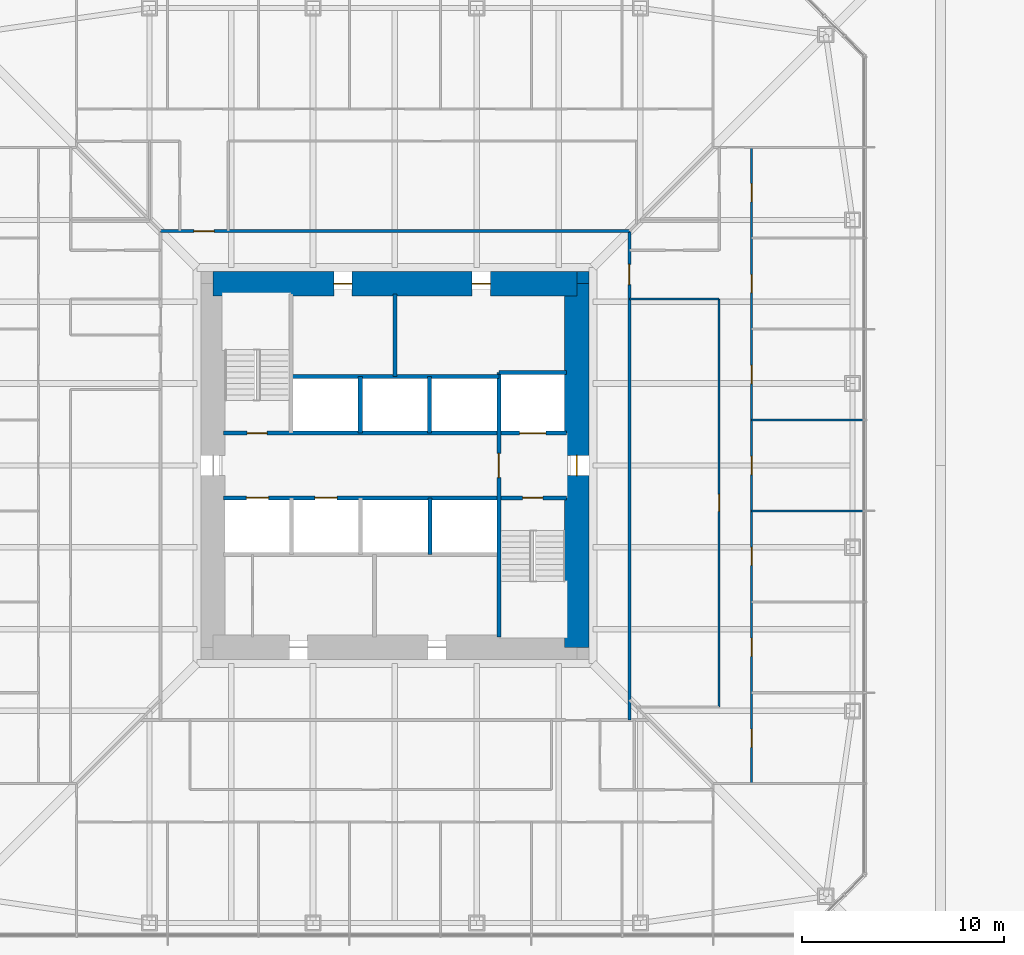
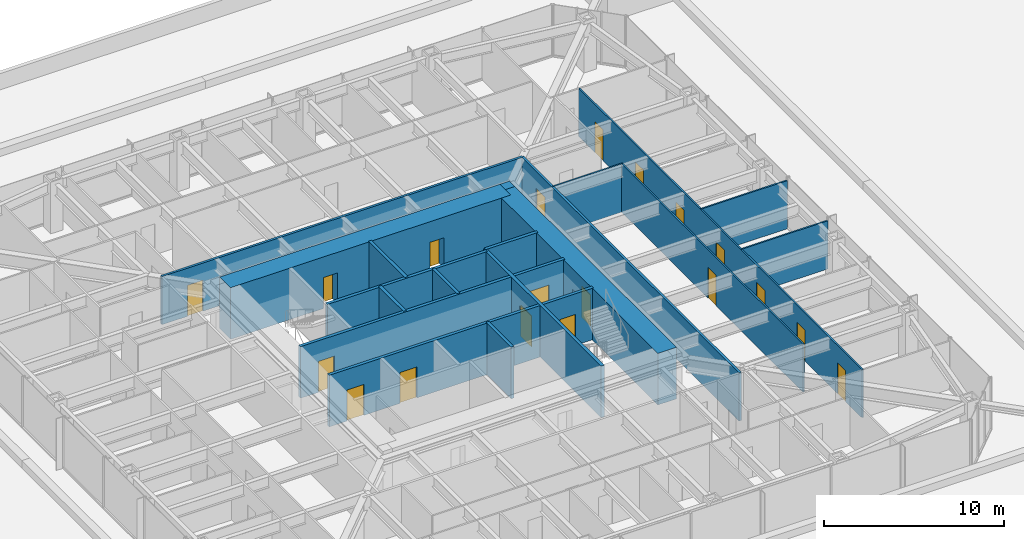
# One storey, part 20 of 31: 19 doors, 19 walls, 19 openings.
"""IFC4 building model written with IfcOpenShell, lengths in metres."""

import ifcopenshell
import ifcopenshell.guid

model = None  # the IFC model being written
_history = None  # IfcOwnerHistory: only IFC2X3 demands one
_inside = {}  # id of a spatial element -> (the spatial element, [elements in it])
_under = {}  # id of a project, library or spatial element -> (it, [spatial elements below it])
_declared = {}  # id of a project -> (the project, [libraries it declares])
_typed = {}  # id of a type object -> (the type object, [elements of that type])
_made_of = {}  # id of a material, layer set ... -> (it, [elements and type objects made of it])


def new_model(schema):
    """Start an empty IFC model of exactly this schema.

    Asked for "IFC4X3", IfcOpenShell would pick the latest addendum, in which some entities
    have other attributes; the version numbers below select the first issue.
    IFC2X3 requires an IfcOwnerHistory on every rooted entity: one is made here for all.
    """
    global model, _history
    if schema == "IFC4X3":
        model = ifcopenshell.file(schema_version=(4, 3, 0, 0))
    else:
        model = ifcopenshell.file(schema=schema)
    _inside.clear()
    _under.clear()
    _declared.clear()
    _typed.clear()
    _made_of.clear()
    _history = None
    if model.schema == "IFC2X3":
        org = make("IfcOrganization", Name="unknown")
        user = make(
            "IfcPersonAndOrganization",
            ThePerson=make("IfcPerson", FamilyName="unknown"),
            TheOrganization=org,
        )
        app = make(
            "IfcApplication",
            ApplicationDeveloper=org,
            Version="unknown",
            ApplicationFullName="unknown",
            ApplicationIdentifier="unknown",
        )
        _history = make(
            "IfcOwnerHistory",
            OwningUser=user,
            OwningApplication=app,
            ChangeAction="ADDED",
            CreationDate=0,
        )
    return model


def make(cls, **values):
    """One entity of the class cls with the attributes given. An attribute that is None is left unset."""
    return model.create_entity(
        cls, **{name: value for name, value in values.items() if value is not None}
    )


def rooted(cls, **values):
    """An entity with a GlobalId (a new one), such as an element, a storey or a relation."""
    return make(cls, GlobalId=ifcopenshell.guid.new(), OwnerHistory=_history, **values)


def si_unit(unit_type, name, prefix=None):
    """IfcSIUnit, for example si_unit("LENGTHUNIT", "METRE", prefix="MILLI")."""
    return make("IfcSIUnit", UnitType=unit_type, Prefix=prefix, Name=name)


def assignment(units):
    """IfcUnitAssignment: the units of a project."""
    return None if units is None else make("IfcUnitAssignment", Units=units)


def point(xyz):
    """IfcCartesianPoint."""
    return None if xyz is None else make("IfcCartesianPoint", Coordinates=xyz)


def direction(xyz):
    """IfcDirection."""
    return None if xyz is None else make("IfcDirection", DirectionRatios=xyz)


def frame(location, z_axis=None, x_axis=None):
    """IfcAxis2Placement3D, a coordinate frame: its origin and axes. An axis left out is left unset."""
    return make(
        "IfcAxis2Placement3D",
        Location=point(location),
        Axis=direction(z_axis),
        RefDirection=direction(x_axis),
    )


def frame_2d(location, x_axis=None):
    """IfcAxis2Placement2D, a coordinate frame in the plane: its origin and x axis."""
    return make(
        "IfcAxis2Placement2D", Location=point(location), RefDirection=direction(x_axis)
    )


def origin():
    """The frame at (0, 0, 0) with its axes left unset."""
    return frame((0.0, 0.0, 0.0))


def place(relative_to, where):
    """IfcLocalPlacement: puts the frame where relative to a parent placement (None: the world)."""
    return make(
        "IfcLocalPlacement", PlacementRelTo=relative_to, RelativePlacement=where
    )


def context(
    kind, dimensions, precision=None, world=None, true_north=None, identifier=None
):
    """IfcGeometricRepresentationContext, for example the 3D "Model" context."""
    return make(
        "IfcGeometricRepresentationContext",
        ContextIdentifier=identifier,
        ContextType=kind,
        CoordinateSpaceDimension=dimensions,
        Precision=precision,
        WorldCoordinateSystem=world,
        TrueNorth=true_north,
    )


def subcontext(parent, identifier, kind, view, scale=None):
    """IfcGeometricRepresentationSubContext, for example "Body" below "Model"."""
    return make(
        "IfcGeometricRepresentationSubContext",
        ContextIdentifier=identifier,
        ContextType=kind,
        ParentContext=parent,
        TargetScale=scale,
        TargetView=view,
    )


def project(units=None, contexts=None):
    """IfcProject with its units and contexts."""
    return rooted(
        "IfcProject",
        Name="project",
        RepresentationContexts=contexts,
        UnitsInContext=assignment(units),
    )


def spatial(cls, under=None, at=None, **own):
    """A site, building, storey or space (cls), placed at a placement, below another one or the project."""
    s = rooted(cls, ObjectPlacement=at, **own)
    if under is not None:
        _under.setdefault(under.id(), (under, []))[1].append(s)
    return s


def profile(cls, at=None, kind="AREA", **sizes):
    """A parametric profile (cls). Its sizes go by their IFC names, for example OverallWidth=200.0."""
    return make(cls, ProfileType=kind, Position=at, **sizes)


def rectangle(**sizes):
    """IfcRectangleProfileDef."""
    return profile("IfcRectangleProfileDef", **sizes)


def extrude(swept, where, along, depth):
    """IfcExtrudedAreaSolid: the profile swept, set in the frame where, extruded along a direction by depth."""
    return make(
        "IfcExtrudedAreaSolid",
        SweptArea=swept,
        Position=where,
        ExtrudedDirection=direction(along),
        Depth=depth,
    )


def shape(context_of_items, identifier, shape_type, items):
    """IfcShapeRepresentation: the items that make up one representation, for example the "Body"."""
    return make(
        "IfcShapeRepresentation",
        ContextOfItems=context_of_items,
        RepresentationIdentifier=identifier,
        RepresentationType=shape_type,
        Items=items,
    )


def material(Name=None, Category=None):
    """IfcMaterial."""
    return make("IfcMaterial", Name=Name, Category=Category)


def layer(
    of_material, thickness, ventilated=None, Name=None, Category=None, Priority=None
):
    """IfcMaterialLayer: one layer of a wall or slab, of a material (None: an air gap)."""
    return make(
        "IfcMaterialLayer",
        Material=of_material,
        LayerThickness=thickness,
        IsVentilated=ventilated,
        Name=Name,
        Category=Category,
        Priority=Priority,
    )


def layer_set(layers, Name=None):
    """IfcMaterialLayerSet."""
    return make("IfcMaterialLayerSet", MaterialLayers=layers, LayerSetName=Name)


def made_of(thing, what):
    """Note that an element or type object is made of a material, layer set ...; save() writes the relation."""
    if what is not None:
        _made_of.setdefault(what.id(), (what, []))[1].append(thing)
    return thing


def type_object(cls, material=None, **own):
    """A type object (cls), such as IfcWallType, which elements share."""
    return made_of(rooted(cls, **own), material)


def element(
    cls,
    number,
    at=None,
    inside=None,
    cuts=None,
    type_object=None,
    material=None,
    context=None,
    identifier="Body",
    shape_type=None,
    held_by="IfcProductDefinitionShape",
    body=None,
    shapes=None,
    **own,
):
    """One element of the class cls, such as IfcWall. Its Tag is "e" and its number.

    at: its placement. inside: the storey or other place that contains it. cuts: it is an
    opening in that element (IfcRelVoidsElement). A single representation is given by context,
    identifier, shape_type and body (its items); several are given by shapes. held_by: the class
    of the entity that holds the representations. save() writes the other relations.
    """
    e = rooted(cls, Tag="e%d" % number, ObjectPlacement=at, **own)
    if body is not None:
        shapes = [shape(context, identifier, shape_type, body)]
    if shapes is not None:
        e.Representation = make(held_by, Representations=shapes)
    if inside is not None:
        _inside.setdefault(inside.id(), (inside, []))[1].append(e)
    if cuts is not None:
        rooted(
            "IfcRelVoidsElement", RelatingBuildingElement=cuts, RelatedOpeningElement=e
        )
    if type_object is not None:
        _typed.setdefault(type_object.id(), (type_object, []))[1].append(e)
    return made_of(e, material)


def fill(opening, filler):
    """IfcRelFillsElement: the door or window that sits in an opening."""
    return rooted(
        "IfcRelFillsElement",
        RelatingOpeningElement=opening,
        RelatedBuildingElement=filler,
    )


def aggregate(whole, parts):
    """IfcRelAggregates: a whole, such as a stair, and the parts it consists of."""
    return rooted("IfcRelAggregates", RelatingObject=whole, RelatedObjects=parts)


def save(model, path):
    """Write the relations noted so far, then the file.

    IfcRelAggregates (storeys below a building ...), IfcRelContainedInSpatialStructure (elements
    in a storey), IfcRelDefinesByType, IfcRelAssociatesMaterial and IfcRelDeclares: one each for
    every whole, place, type object, material and project.
    """
    for whole, parts in _under.values():
        aggregate(whole, parts)
    for where, things in _inside.values():
        rooted(
            "IfcRelContainedInSpatialStructure",
            RelatedElements=things,
            RelatingStructure=where,
        )
    for kind, things in _typed.values():
        rooted("IfcRelDefinesByType", RelatedObjects=things, RelatingType=kind)
    for what, things in _made_of.values():
        rooted("IfcRelAssociatesMaterial", RelatedObjects=things, RelatingMaterial=what)
    for by, libraries in _declared.values():
        rooted("IfcRelDeclares", RelatingContext=by, RelatedDefinitions=libraries)
    model.write(path)


model = new_model("IFC4")

# Units and contexts
model_context = context("Model", 3, precision=1e-05, world=origin(), true_north=direction((0.0, 1.0)))
body_context = subcontext(model_context, "Body", "Model", "MODEL_VIEW")
ifc_project = project(units=[si_unit("LENGTHUNIT", "METRE"), si_unit("AREAUNIT", "SQUARE_METRE"), si_unit("VOLUMEUNIT", "CUBIC_METRE"), si_unit("PLANEANGLEUNIT", "RADIAN"), si_unit("MASSUNIT", "GRAM", prefix="KILO")], contexts=[model_context])

# Site, building, storey
site_placement = place(None, origin())
site = spatial("IfcSite", under=ifc_project, at=site_placement, CompositionType="ELEMENT")
building_placement = place(site_placement, origin())
building = spatial("IfcBuilding", under=site, at=building_placement, Name="Iwan Alto Co-Living Towers", CompositionType="ELEMENT")
storey_placement = place(building_placement, frame((0.0, 0.0, 15.0)))
storey = spatial("IfcBuildingStorey", under=building, at=storey_placement, Name="L03", CompositionType="ELEMENT", Elevation=15.0)

# Wall, opening, door
ifc_material_1 = material(Name="Gypsum board")
ifc_layer_1 = layer(ifc_material_1, 0.02490234375, Name="Board", Category="Finish")
ifc_material_2 = material(Name="Steel ASTM A1003 ST33H cold-formed studs", Category="steel")
ifc_layer_2 = layer(ifc_material_2, 0.10009765625, Name="Studs", Category="Framing")
ifc_layer_3 = layer(ifc_material_1, 0.02490234375, Name="Board", Category="Finish")
ifc_layer_set_1 = layer_set([ifc_layer_1, ifc_layer_2, ifc_layer_3], Name="CORRIDOR WALL 150")
wall_type_1 = type_object("IfcWallType", Name="CORRIDOR WALL 150", PredefinedType="PARTITIONING", material=ifc_layer_set_1)
wall_1_placement = place(storey_placement, frame((-11.60009765625, 11.60009765625, 0.0), z_axis=(0.0, 0.0, 1.0), x_axis=(1.0, 0.0, 0.0)))
wall_1 = element("IfcWall", 1, at=wall_1_placement, inside=storey, type_object=wall_type_1, Name="Partition L03", PredefinedType="PARTITIONING", context=body_context, shape_type="SweptSolid", body=[
    extrude(rectangle(XDim=23.2001953125, YDim=0.14990234375, at=frame_2d((11.60009765625, 0.0))), origin(), (0.0, 0.0, 1.0), 3.27001953125),
])
opening_1_placement = place(wall_1_placement, frame((1.64990234375, 0.0, 0.0)))
opening_1 = element("IfcOpeningElement", 2, at=opening_1_placement, cuts=wall_1, Name="Opening D3", PredefinedType="OPENING", context=body_context, shape_type="SweptSolid", body=[
    extrude(rectangle(XDim=1.0, YDim=2.10009765625, at=frame_2d((0.5, 1.050048828125))), frame((0.0, 0.0849609375, 0.0), z_axis=(0.0, -1.0, 0.0), x_axis=(1.0, 0.0, 0.0)), (0.0, 0.0, 1.0), 0.169921875),
])
ifc_material_3 = material(Name="Steel frame with timber leaf", Category="steel")
door_type_1 = type_object("IfcDoorType", Name="FLAT ENTRANCE DOOR FD30S 1000X2100", OperationType="SINGLE_SWING_LEFT", PredefinedType="DOOR", material=ifc_material_3)
door_1_placement = place(opening_1_placement, origin())
door_1 = element("IfcDoor", 3, at=door_1_placement, inside=storey, type_object=door_type_1, Name="Cluster lounge door L03", OperationType="SINGLE_SWING_LEFT", OverallHeight=2.10009765625, OverallWidth=1.0, PredefinedType="DOOR", context=body_context, shape_type="SweptSolid", body=[
    extrude(rectangle(XDim=1.0, YDim=2.10009765625, at=frame_2d((0.5, 1.050048828125))), frame((0.0, 0.02490234375, 0.0), z_axis=(0.0, -1.0, 0.0), x_axis=(1.0, 0.0, 0.0)), (0.0, 0.0, 1.0), 0.050048828125),
])
fill(opening_1, door_1)

wall_2_placement = place(storey_placement, frame((11.60009765625, -12.60009765625, 0.0), z_axis=(0.0, 0.0, 1.0), x_axis=(0.0, 1.0, 0.0)))
wall_2 = element("IfcWall", 4, at=wall_2_placement, inside=storey, type_object=wall_type_1, Name="Partition L03", PredefinedType="PARTITIONING", context=body_context, shape_type="SweptSolid", body=[
    extrude(rectangle(XDim=24.2001953125, YDim=0.14990234375, at=frame_2d((12.10009765625, 0.0))), origin(), (0.0, 0.0, 1.0), 3.27001953125),
])
opening_2_placement = place(wall_2_placement, frame((21.550048828125, 0.0, 0.0)))
opening_2 = element("IfcOpeningElement", 5, at=opening_2_placement, cuts=wall_2, Name="Opening D3", PredefinedType="OPENING", context=body_context, shape_type="SweptSolid", body=[
    extrude(rectangle(XDim=1.0, YDim=2.10009765625, at=frame_2d((0.5, 1.050048828125))), frame((0.0, 0.0849609375, 0.0), z_axis=(0.0, -1.0, 0.0), x_axis=(1.0, 0.0, 0.0)), (0.0, 0.0, 1.0), 0.169921875),
])
door_2_placement = place(opening_2_placement, frame((1.0, 0.0, 0.0), z_axis=(0.0, 0.0, 1.0), x_axis=(-1.0, 0.0, 0.0)))
door_2 = element("IfcDoor", 6, at=door_2_placement, inside=storey, type_object=door_type_1, Name="Cluster lounge door L03", OperationType="SINGLE_SWING_RIGHT", OverallHeight=2.10009765625, OverallWidth=1.0, PredefinedType="DOOR", context=body_context, shape_type="SweptSolid", body=[
    extrude(rectangle(XDim=1.0, YDim=2.10009765625, at=frame_2d((0.5, 1.050048828125))), frame((0.0, 0.02490234375, 0.0), z_axis=(0.0, -1.0, 0.0), x_axis=(1.0, 0.0, 0.0)), (0.0, 0.0, 1.0), 0.050048828125),
])
fill(opening_2, door_2)

# Walls
ifc_layer_4 = layer(ifc_material_1, 0.012451171875, Name="Board", Category="Finish")
ifc_layer_5 = layer(ifc_material_2, 0.074951171875, Name="Studs", Category="Framing")
ifc_layer_6 = layer(ifc_material_1, 0.012451171875, Name="Board", Category="Finish")
ifc_layer_set_2 = layer_set([ifc_layer_4, ifc_layer_5, ifc_layer_6], Name="PARTITION 100")
wall_type_2 = type_object("IfcWallType", Name="PARTITION 100", PredefinedType="PARTITIONING", material=ifc_layer_set_2)
for number, where, z_axis, x_axis, name in (
    (7, (17.64990234375, -2.25, 0.0), (0.0, 0.0, 1.0), (1.0, 0.0, 0.0), "Partition L03"),
    (8, (17.64990234375, 2.25, 0.0), (0.0, 0.0, 1.0), (1.0, 0.0, 0.0), "Partition L03"),
):
    element("IfcWall", number, at=place(storey_placement, frame(where, z_axis=z_axis, x_axis=x_axis)), inside=storey, type_object=wall_type_2, Name=name, PredefinedType="PARTITIONING", context=body_context, shape_type="SweptSolid", body=[
        extrude(rectangle(XDim=5.5400390625, YDim=0.10009765625, at=frame_2d((2.77001953125, 0.0))), origin(), (0.0, 0.0, 1.0), 3.27001953125),
    ])
wall_3_placement = place(storey_placement, frame((11.60009765625, 8.25, 0.0), z_axis=(0.0, 0.0, 1.0), x_axis=(1.0, 0.0, 0.0)))
element("IfcWall", 9, at=wall_3_placement, inside=storey, type_object=wall_type_2, Name="Partition L03", PredefinedType="PARTITIONING", context=body_context, shape_type="SweptSolid", body=[
    extrude(rectangle(XDim=4.449951171875, YDim=0.10009765625, at=frame_2d((2.22509765625, 0.0))), origin(), (0.0, 0.0, 1.0), 3.27001953125),
])

# Wall, openings, doors
wall_4_placement = place(storey_placement, frame((17.64990234375, -15.75, 0.0), z_axis=(0.0, 0.0, 1.0), x_axis=(0.0, 1.0, 0.0)))
wall_4 = element("IfcWall", 10, at=wall_4_placement, inside=storey, type_object=wall_type_2, Name="Partition L03", PredefinedType="PARTITIONING", context=body_context, shape_type="SweptSolid", body=[
    extrude(rectangle(XDim=31.5, YDim=0.10009765625, at=frame_2d((15.75, 0.0))), origin(), (0.0, 0.0, 1.0), 3.27001953125),
])
opening_3_placement = place(wall_4_placement, frame((1.800048828125, 0.0, 0.0)))
opening_3 = element("IfcOpeningElement", 11, at=opening_3_placement, cuts=wall_4, Name="Opening D1", PredefinedType="OPENING", context=body_context, shape_type="SweptSolid", body=[
    extrude(rectangle(XDim=0.89990234375, YDim=2.10009765625, at=frame_2d((0.449951171875, 1.050048828125))), frame((0.0, 0.06005859375, 0.0), z_axis=(0.0, -1.0, 0.0), x_axis=(1.0, 0.0, 0.0)), (0.0, 0.0, 1.0), 0.1201171875),
])
opening_4_placement = place(wall_4_placement, frame((6.300048828125, 0.0, 0.0)))
opening_4 = element("IfcOpeningElement", 12, at=opening_4_placement, cuts=wall_4, Name="Opening D1", PredefinedType="OPENING", context=body_context, shape_type="SweptSolid", body=[
    extrude(rectangle(XDim=0.89990234375, YDim=2.10009765625, at=frame_2d((0.449951171875, 1.050048828125))), frame((0.0, 0.06005859375, 0.0), z_axis=(0.0, -1.0, 0.0), x_axis=(1.0, 0.0, 0.0)), (0.0, 0.0, 1.0), 0.1201171875),
])
opening_5_placement = place(wall_4_placement, frame((10.800048828125, 0.0, 0.0)))
opening_5 = element("IfcOpeningElement", 13, at=opening_5_placement, cuts=wall_4, Name="Opening D1", PredefinedType="OPENING", context=body_context, shape_type="SweptSolid", body=[
    extrude(rectangle(XDim=0.89990234375, YDim=2.10009765625, at=frame_2d((0.449951171875, 1.050048828125))), frame((0.0, 0.06005859375, 0.0), z_axis=(0.0, -1.0, 0.0), x_axis=(1.0, 0.0, 0.0)), (0.0, 0.0, 1.0), 0.1201171875),
])
opening_6_placement = place(wall_4_placement, frame((15.300048828125, 0.0, 0.0)))
opening_6 = element("IfcOpeningElement", 14, at=opening_6_placement, cuts=wall_4, Name="Opening D1", PredefinedType="OPENING", context=body_context, shape_type="SweptSolid", body=[
    extrude(rectangle(XDim=0.89990234375, YDim=2.10009765625, at=frame_2d((0.449951171875, 1.050048828125))), frame((0.0, 0.06005859375, 0.0), z_axis=(0.0, -1.0, 0.0), x_axis=(1.0, 0.0, 0.0)), (0.0, 0.0, 1.0), 0.1201171875),
])
opening_7_placement = place(wall_4_placement, frame((19.800048828125, 0.0, 0.0)))
opening_7 = element("IfcOpeningElement", 15, at=opening_7_placement, cuts=wall_4, Name="Opening D1", PredefinedType="OPENING", context=body_context, shape_type="SweptSolid", body=[
    extrude(rectangle(XDim=0.89990234375, YDim=2.10009765625, at=frame_2d((0.449951171875, 1.050048828125))), frame((0.0, 0.06005859375, 0.0), z_axis=(0.0, -1.0, 0.0), x_axis=(1.0, 0.0, 0.0)), (0.0, 0.0, 1.0), 0.1201171875),
])
opening_8_placement = place(wall_4_placement, frame((24.300048828125, 0.0, 0.0)))
opening_8 = element("IfcOpeningElement", 16, at=opening_8_placement, cuts=wall_4, Name="Opening D1", PredefinedType="OPENING", context=body_context, shape_type="SweptSolid", body=[
    extrude(rectangle(XDim=0.89990234375, YDim=2.10009765625, at=frame_2d((0.449951171875, 1.050048828125))), frame((0.0, 0.06005859375, 0.0), z_axis=(0.0, -1.0, 0.0), x_axis=(1.0, 0.0, 0.0)), (0.0, 0.0, 1.0), 0.1201171875),
])
opening_9_placement = place(wall_4_placement, frame((28.800048828125, 0.0, 0.0)))
opening_9 = element("IfcOpeningElement", 17, at=opening_9_placement, cuts=wall_4, Name="Opening D1", PredefinedType="OPENING", context=body_context, shape_type="SweptSolid", body=[
    extrude(rectangle(XDim=0.89990234375, YDim=2.10009765625, at=frame_2d((0.449951171875, 1.050048828125))), frame((0.0, 0.06005859375, 0.0), z_axis=(0.0, -1.0, 0.0), x_axis=(1.0, 0.0, 0.0)), (0.0, 0.0, 1.0), 0.1201171875),
])
ifc_material_4 = material(Name="Timber leaf in steel frame", Category="steel")
door_type_2 = type_object("IfcDoorType", Name="BEDROOM DOOR 900X2100", OperationType="SINGLE_SWING_LEFT", PredefinedType="DOOR", material=ifc_material_4)
door_3_placement = place(opening_3_placement, origin())
door_3 = element("IfcDoor", 18, at=door_3_placement, inside=storey, type_object=door_type_2, Name="Study bedroom door L03", OperationType="SINGLE_SWING_LEFT", OverallHeight=2.10009765625, OverallWidth=0.89990234375, PredefinedType="DOOR", context=body_context, shape_type="SweptSolid", body=[
    extrude(rectangle(XDim=0.89990234375, YDim=2.10009765625, at=frame_2d((0.449951171875, 1.050048828125))), frame((0.0, 0.02490234375, 0.0), z_axis=(0.0, -1.0, 0.0), x_axis=(1.0, 0.0, 0.0)), (0.0, 0.0, 1.0), 0.050048828125),
])
fill(opening_3, door_3)
door_4_placement = place(opening_4_placement, origin())
door_4 = element("IfcDoor", 19, at=door_4_placement, inside=storey, type_object=door_type_2, Name="Study bedroom door L03", OperationType="SINGLE_SWING_LEFT", OverallHeight=2.10009765625, OverallWidth=0.89990234375, PredefinedType="DOOR", context=body_context, shape_type="SweptSolid", body=[
    extrude(rectangle(XDim=0.89990234375, YDim=2.10009765625, at=frame_2d((0.449951171875, 1.050048828125))), frame((0.0, 0.02490234375, 0.0), z_axis=(0.0, -1.0, 0.0), x_axis=(1.0, 0.0, 0.0)), (0.0, 0.0, 1.0), 0.050048828125),
])
fill(opening_4, door_4)
door_5_placement = place(opening_5_placement, origin())
door_5 = element("IfcDoor", 20, at=door_5_placement, inside=storey, type_object=door_type_2, Name="Study bedroom door L03", OperationType="SINGLE_SWING_LEFT", OverallHeight=2.10009765625, OverallWidth=0.89990234375, PredefinedType="DOOR", context=body_context, shape_type="SweptSolid", body=[
    extrude(rectangle(XDim=0.89990234375, YDim=2.10009765625, at=frame_2d((0.449951171875, 1.050048828125))), frame((0.0, 0.02490234375, 0.0), z_axis=(0.0, -1.0, 0.0), x_axis=(1.0, 0.0, 0.0)), (0.0, 0.0, 1.0), 0.050048828125),
])
fill(opening_5, door_5)
door_6_placement = place(opening_6_placement, origin())
door_6 = element("IfcDoor", 21, at=door_6_placement, inside=storey, type_object=door_type_2, Name="Study bedroom door L03", OperationType="SINGLE_SWING_LEFT", OverallHeight=2.10009765625, OverallWidth=0.89990234375, PredefinedType="DOOR", context=body_context, shape_type="SweptSolid", body=[
    extrude(rectangle(XDim=0.89990234375, YDim=2.10009765625, at=frame_2d((0.449951171875, 1.050048828125))), frame((0.0, 0.02490234375, 0.0), z_axis=(0.0, -1.0, 0.0), x_axis=(1.0, 0.0, 0.0)), (0.0, 0.0, 1.0), 0.050048828125),
])
fill(opening_6, door_6)
door_7_placement = place(opening_7_placement, origin())
door_7 = element("IfcDoor", 22, at=door_7_placement, inside=storey, type_object=door_type_2, Name="Study bedroom door L03", OperationType="SINGLE_SWING_RIGHT", OverallHeight=2.10009765625, OverallWidth=0.89990234375, PredefinedType="DOOR", context=body_context, shape_type="SweptSolid", body=[
    extrude(rectangle(XDim=0.89990234375, YDim=2.10009765625, at=frame_2d((0.449951171875, 1.050048828125))), frame((0.0, 0.02490234375, 0.0), z_axis=(0.0, -1.0, 0.0), x_axis=(1.0, 0.0, 0.0)), (0.0, 0.0, 1.0), 0.050048828125),
])
fill(opening_7, door_7)
door_8_placement = place(opening_8_placement, origin())
door_8 = element("IfcDoor", 23, at=door_8_placement, inside=storey, type_object=door_type_2, Name="Study bedroom door L03", OperationType="SINGLE_SWING_RIGHT", OverallHeight=2.10009765625, OverallWidth=0.89990234375, PredefinedType="DOOR", context=body_context, shape_type="SweptSolid", body=[
    extrude(rectangle(XDim=0.89990234375, YDim=2.10009765625, at=frame_2d((0.449951171875, 1.050048828125))), frame((0.0, 0.02490234375, 0.0), z_axis=(0.0, -1.0, 0.0), x_axis=(1.0, 0.0, 0.0)), (0.0, 0.0, 1.0), 0.050048828125),
])
fill(opening_8, door_8)
door_9_placement = place(opening_9_placement, origin())
door_9 = element("IfcDoor", 24, at=door_9_placement, inside=storey, type_object=door_type_2, Name="Study bedroom door L03", OperationType="SINGLE_SWING_RIGHT", OverallHeight=2.10009765625, OverallWidth=0.89990234375, PredefinedType="DOOR", context=body_context, shape_type="SweptSolid", body=[
    extrude(rectangle(XDim=0.89990234375, YDim=2.10009765625, at=frame_2d((0.449951171875, 1.050048828125))), frame((0.0, 0.02490234375, 0.0), z_axis=(0.0, -1.0, 0.0), x_axis=(1.0, 0.0, 0.0)), (0.0, 0.0, 1.0), 0.050048828125),
])
fill(opening_9, door_9)

# Wall, opening, door
wall_5_placement = place(storey_placement, frame((16.050048828125, -11.949951171875, 0.0), z_axis=(0.0, 0.0, 1.0), x_axis=(0.0, 1.0, 0.0)))
wall_5 = element("IfcWall", 25, at=wall_5_placement, inside=storey, type_object=wall_type_2, Name="Partition L03", PredefinedType="PARTITIONING", context=body_context, shape_type="SweptSolid", body=[
    extrude(rectangle(XDim=20.199951171875, YDim=0.10009765625, at=frame_2d((10.10009765625, 0.0))), origin(), (0.0, 0.0, 1.0), 3.27001953125),
])
opening_10_placement = place(wall_5_placement, frame((9.675048828125, 0.0, 0.0)))
opening_10 = element("IfcOpeningElement", 26, at=opening_10_placement, cuts=wall_5, Name="Opening D2", PredefinedType="OPENING", context=body_context, shape_type="SweptSolid", body=[
    extrude(rectangle(XDim=0.85009765625, YDim=2.10009765625, at=frame_2d((0.425048828125, 1.050048828125))), frame((0.0, 0.06005859375, 0.0), z_axis=(0.0, -1.0, 0.0), x_axis=(1.0, 0.0, 0.0)), (0.0, 0.0, 1.0), 0.1201171875),
])
ifc_material_5 = material(Name="Timber leaf in steel frame", Category="steel")
door_type_3 = type_object("IfcDoorType", Name="ROOM DOOR 850X2100", OperationType="SINGLE_SWING_LEFT", PredefinedType="DOOR", material=ifc_material_5)
door_10_placement = place(opening_10_placement, origin())
door_10 = element("IfcDoor", 27, at=door_10_placement, inside=storey, type_object=door_type_3, Name="Study lounge door L03", OperationType="SINGLE_SWING_LEFT", OverallHeight=2.10009765625, OverallWidth=0.85009765625, PredefinedType="DOOR", context=body_context, shape_type="SweptSolid", body=[
    extrude(rectangle(XDim=0.85009765625, YDim=2.10009765625, at=frame_2d((0.425048828125, 1.050048828125))), frame((0.0, 0.02490234375, 0.0), z_axis=(0.0, -1.0, 0.0), x_axis=(1.0, 0.0, 0.0)), (0.0, 0.0, 1.0), 0.050048828125),
])
fill(opening_10, door_10)

# Wall, openings, doors
ifc_material_6 = material(Name="Concrete f'c 70 MPa", Category="concrete")
ifc_layer_7 = layer(ifc_material_6, 0.199951171875)
ifc_layer_set_3 = layer_set([ifc_layer_7], Name="SHAFT WALL 200")
wall_type_3 = type_object("IfcWallType", Name="SHAFT WALL 200", PredefinedType="SOLIDWALL", material=ifc_layer_set_3)
wall_6_placement = place(storey_placement, frame((-8.489990234375, -1.60009765625, 0.0), z_axis=(0.0, 0.0, 1.0), x_axis=(1.0, 0.0, 0.0)))
wall_6 = element("IfcWall", 28, at=wall_6_placement, inside=storey, type_object=wall_type_3, Name="Shaft wall L03", PredefinedType="SOLIDWALL", context=body_context, shape_type="SweptSolid", body=[
    extrude(rectangle(XDim=16.97998046875, YDim=0.199951171875, at=frame_2d((8.489990234375, 0.0))), origin(), (0.0, 0.0, 1.0), 3.5),
])
opening_11_placement = place(wall_6_placement, frame((14.81005859375, 0.0, 0.0)))
opening_11 = element("IfcOpeningElement", 29, at=opening_11_placement, cuts=wall_6, Name="Opening D5", PredefinedType="OPENING", context=body_context, shape_type="SweptSolid", body=[
    extrude(rectangle(XDim=1.0, YDim=2.10009765625, at=frame_2d((0.5, 1.050048828125))), frame((0.0, 0.10986328125, 0.0), z_axis=(0.0, -1.0, 0.0), x_axis=(1.0, 0.0, 0.0)), (0.0, 0.0, 1.0), 0.219970703125),
])
opening_12_placement = place(wall_6_placement, frame((1.133056640625, 0.0, 0.0)))
opening_12 = element("IfcOpeningElement", 30, at=opening_12_placement, cuts=wall_6, Name="Opening LD", PredefinedType="OPENING", context=body_context, shape_type="SweptSolid", body=[
    extrude(rectangle(XDim=1.10009765625, YDim=2.10009765625, at=frame_2d((0.550048828125, 1.050048828125))), frame((0.0, 0.10986328125, 0.0), z_axis=(0.0, -1.0, 0.0), x_axis=(1.0, 0.0, 0.0)), (0.0, 0.0, 1.0), 0.219970703125),
])
opening_13_placement = place(wall_6_placement, frame((4.528076171875, 0.0, 0.0)))
opening_13 = element("IfcOpeningElement", 31, at=opening_13_placement, cuts=wall_6, Name="Opening LD", PredefinedType="OPENING", context=body_context, shape_type="SweptSolid", body=[
    extrude(rectangle(XDim=1.10009765625, YDim=2.10009765625, at=frame_2d((0.550048828125, 1.050048828125))), frame((0.0, 0.10986328125, 0.0), z_axis=(0.0, -1.0, 0.0), x_axis=(1.0, 0.0, 0.0)), (0.0, 0.0, 1.0), 0.219970703125),
])
ifc_material_7 = material(Name="Steel frame with timber leaf", Category="steel")
door_type_4 = type_object("IfcDoorType", Name="LIFT LANDING DOOR 1100X2100", OperationType="DOUBLE_DOOR_SLIDING", PredefinedType="DOOR", material=ifc_material_7)
door_11_placement = place(opening_12_placement, origin())
door_11 = element("IfcDoor", 32, at=door_11_placement, inside=storey, type_object=door_type_4, Name="Lift P1-1 landing door L03", OperationType="DOUBLE_DOOR_SLIDING", OverallHeight=2.10009765625, OverallWidth=1.10009765625, PredefinedType="DOOR", context=body_context, shape_type="SweptSolid", body=[
    extrude(rectangle(XDim=1.10009765625, YDim=2.10009765625, at=frame_2d((0.550048828125, 1.050048828125))), frame((0.0, 0.02490234375, 0.0), z_axis=(0.0, -1.0, 0.0), x_axis=(1.0, 0.0, 0.0)), (0.0, 0.0, 1.0), 0.050048828125),
])
fill(opening_12, door_11)
door_12_placement = place(opening_13_placement, origin())
door_12 = element("IfcDoor", 33, at=door_12_placement, inside=storey, type_object=door_type_4, Name="Lift P1-2 landing door L03", OperationType="DOUBLE_DOOR_SLIDING", OverallHeight=2.10009765625, OverallWidth=1.10009765625, PredefinedType="DOOR", context=body_context, shape_type="SweptSolid", body=[
    extrude(rectangle(XDim=1.10009765625, YDim=2.10009765625, at=frame_2d((0.550048828125, 1.050048828125))), frame((0.0, 0.02490234375, 0.0), z_axis=(0.0, -1.0, 0.0), x_axis=(1.0, 0.0, 0.0)), (0.0, 0.0, 1.0), 0.050048828125),
])
fill(opening_13, door_12)
ifc_material_8 = material(Name="Steel frame with timber leaf", Category="steel")
door_type_5 = type_object("IfcDoorType", Name="STAIR DOOR FD120S 1000X2100", OperationType="SINGLE_SWING_LEFT", PredefinedType="DOOR", material=ifc_material_8)
door_13_placement = place(opening_11_placement, frame((1.0, 0.0, 0.0), z_axis=(0.0, 0.0, 1.0), x_axis=(-1.0, 0.0, 0.0)))
door_13 = element("IfcDoor", 34, at=door_13_placement, inside=storey, type_object=door_type_5, Name="Stair S2 door L03", OperationType="SINGLE_SWING_RIGHT", OverallHeight=2.10009765625, OverallWidth=1.0, PredefinedType="DOOR", context=body_context, shape_type="SweptSolid", body=[
    extrude(rectangle(XDim=1.0, YDim=2.10009765625, at=frame_2d((0.5, 1.050048828125))), frame((0.0, 0.02490234375, 0.0), z_axis=(0.0, -1.0, 0.0), x_axis=(1.0, 0.0, 0.0)), (0.0, 0.0, 1.0), 0.050048828125),
])
fill(opening_11, door_13)

wall_7_placement = place(storey_placement, frame((-8.489990234375, 1.60009765625, 0.0), z_axis=(0.0, 0.0, 1.0), x_axis=(1.0, 0.0, 0.0)))
wall_7 = element("IfcWall", 35, at=wall_7_placement, inside=storey, type_object=wall_type_3, Name="Shaft wall L03", PredefinedType="SOLIDWALL", context=body_context, shape_type="SweptSolid", body=[
    extrude(rectangle(XDim=16.97998046875, YDim=0.199951171875, at=frame_2d((8.489990234375, 0.0))), origin(), (0.0, 0.0, 1.0), 3.5),
])
opening_14_placement = place(wall_7_placement, frame((1.169921875, 0.0, 0.0)))
opening_14 = element("IfcOpeningElement", 36, at=opening_14_placement, cuts=wall_7, Name="Opening D5", PredefinedType="OPENING", context=body_context, shape_type="SweptSolid", body=[
    extrude(rectangle(XDim=1.0, YDim=2.10009765625, at=frame_2d((0.5, 1.050048828125))), frame((0.0, 0.10986328125, 0.0), z_axis=(0.0, -1.0, 0.0), x_axis=(1.0, 0.0, 0.0)), (0.0, 0.0, 1.0), 0.219970703125),
])
opening_15_placement = place(wall_7_placement, frame((14.659912109375, 0.0, 0.0)))
opening_15 = element("IfcOpeningElement", 37, at=opening_15_placement, cuts=wall_7, Name="Opening LD2", PredefinedType="OPENING", context=body_context, shape_type="SweptSolid", body=[
    extrude(rectangle(XDim=1.300048828125, YDim=2.10009765625, at=frame_2d((0.64990234375, 1.050048828125))), frame((0.0, 0.10986328125, 0.0), z_axis=(0.0, -1.0, 0.0), x_axis=(1.0, 0.0, 0.0)), (0.0, 0.0, 1.0), 0.219970703125),
])
ifc_material_9 = material(Name="Steel frame with timber leaf", Category="steel")
door_type_6 = type_object("IfcDoorType", Name="LIFT LANDING DOOR 1300X2100", OperationType="SLIDING_TO_LEFT", PredefinedType="DOOR", material=ifc_material_9)
door_14_placement = place(opening_15_placement, origin())
door_14 = element("IfcDoor", 38, at=door_14_placement, inside=storey, type_object=door_type_6, Name="Lift FL1 landing door L03", OperationType="SLIDING_TO_LEFT", OverallHeight=2.10009765625, OverallWidth=1.300048828125, PredefinedType="DOOR", context=body_context, shape_type="SweptSolid", body=[
    extrude(rectangle(XDim=1.300048828125, YDim=2.10009765625, at=frame_2d((0.64990234375, 1.050048828125))), frame((0.0, 0.02490234375, 0.0), z_axis=(0.0, -1.0, 0.0), x_axis=(1.0, 0.0, 0.0)), (0.0, 0.0, 1.0), 0.050048828125),
])
fill(opening_15, door_14)
door_15_placement = place(opening_14_placement, origin())
door_15 = element("IfcDoor", 39, at=door_15_placement, inside=storey, type_object=door_type_5, Name="Stair S1 door L03", OperationType="SINGLE_SWING_RIGHT", OverallHeight=2.10009765625, OverallWidth=1.0, PredefinedType="DOOR", context=body_context, shape_type="SweptSolid", body=[
    extrude(rectangle(XDim=1.0, YDim=2.10009765625, at=frame_2d((0.5, 1.050048828125))), frame((0.0, 0.02490234375, 0.0), z_axis=(0.0, -1.0, 0.0), x_axis=(1.0, 0.0, 0.0)), (0.0, 0.0, 1.0), 0.050048828125),
])
fill(opening_14, door_15)

# Walls
wall_8_placement = place(storey_placement, frame((-5.14990234375, 4.39990234375, 0.0), z_axis=(0.0, 0.0, 1.0), x_axis=(1.0, 0.0, 0.0)))
element("IfcWall", 40, at=wall_8_placement, inside=storey, type_object=wall_type_3, Name="Shaft wall L03", PredefinedType="SOLIDWALL", context=body_context, shape_type="SweptSolid", body=[
    extrude(rectangle(XDim=10.2998046875, YDim=0.199951171875, at=frame_2d((5.14990234375, 0.0))), origin(), (0.0, 0.0, 1.0), 3.5),
])
wall_9_placement = place(storey_placement, frame((5.14990234375, 4.60009765625, 0.0), z_axis=(0.0, 0.0, 1.0), x_axis=(1.0, 0.0, 0.0)))
element("IfcWall", 41, at=wall_9_placement, inside=storey, type_object=wall_type_3, Name="Shaft wall L03", PredefinedType="SOLIDWALL", context=body_context, shape_type="SweptSolid", body=[
    extrude(rectangle(XDim=3.340087890625, YDim=0.199951171875, at=frame_2d((1.669921875, 0.0))), origin(), (0.0, 0.0, 1.0), 3.5),
])

# Wall, opening, door
wall_10_placement = place(storey_placement, frame((5.14990234375, -8.489990234375, 0.0), z_axis=(0.0, 0.0, 1.0), x_axis=(0.0, 1.0, 0.0)))
wall_10 = element("IfcWall", 42, at=wall_10_placement, inside=storey, type_object=wall_type_3, Name="Shaft wall L03", PredefinedType="SOLIDWALL", context=body_context, shape_type="SweptSolid", body=[
    extrude(rectangle(XDim=13.090087890625, YDim=0.199951171875, at=frame_2d((6.544921875, 0.0))), origin(), (0.0, 0.0, 1.0), 3.5),
])
opening_16_placement = place(wall_10_placement, frame((7.889892578125, 0.0, 0.0)))
opening_16 = element("IfcOpeningElement", 43, at=opening_16_placement, cuts=wall_10, Name="Opening D6", PredefinedType="OPENING", context=body_context, shape_type="SweptSolid", body=[
    extrude(rectangle(XDim=1.199951171875, YDim=2.10009765625, at=frame_2d((0.60009765625, 1.050048828125))), frame((0.0, 0.10986328125, 0.0), z_axis=(0.0, -1.0, 0.0), x_axis=(1.0, 0.0, 0.0)), (0.0, 0.0, 1.0), 0.219970703125),
])
ifc_material_10 = material(Name="Steel frame with timber leaf", Category="steel")
door_type_7 = type_object("IfcDoorType", Name="LOBBY DOOR FD120S 1200X2100", OperationType="SINGLE_SWING_LEFT", PredefinedType="DOOR", material=ifc_material_10)
door_16_placement = place(opening_16_placement, frame((1.199951171875, 0.0, 0.0), z_axis=(0.0, 0.0, 1.0), x_axis=(-1.0, 0.0, 0.0)))
door_16 = element("IfcDoor", 44, at=door_16_placement, inside=storey, type_object=door_type_7, Name="Firefighting lobby door L03", OperationType="SINGLE_SWING_RIGHT", OverallHeight=2.10009765625, OverallWidth=1.199951171875, PredefinedType="DOOR", context=body_context, shape_type="SweptSolid", body=[
    extrude(rectangle(XDim=1.199951171875, YDim=2.10009765625, at=frame_2d((0.60009765625, 1.050048828125))), frame((0.0, 0.02490234375, 0.0), z_axis=(0.0, -1.0, 0.0), x_axis=(1.0, 0.0, 0.0)), (0.0, 0.0, 1.0), 0.050048828125),
])
fill(opening_16, door_16)

# Walls
for number, where, z_axis, x_axis, name in (
    (45, (1.72509765625, -4.39990234375, 0.0), (0.0, 0.0, 1.0), (0.0, 1.0, 0.0), "Shaft wall L03"),
    (46, (1.717041015625, 1.60009765625, 0.0), (0.0, 0.0, 1.0), (0.0, 1.0, 0.0), "Shaft wall L03"),
):
    element("IfcWall", number, at=place(storey_placement, frame(where, z_axis=z_axis, x_axis=x_axis)), inside=storey, type_object=wall_type_3, Name=name, PredefinedType="SOLIDWALL", context=body_context, shape_type="SweptSolid", body=[
        extrude(rectangle(XDim=2.7998046875, YDim=0.199951171875, at=frame_2d((1.39990234375, 0.0))), origin(), (0.0, 0.0, 1.0), 3.5),
    ])
wall_11_placement = place(storey_placement, frame((0.0, 4.39990234375, 0.0), z_axis=(0.0, 0.0, 1.0), x_axis=(0.0, 1.0, 0.0)))
element("IfcWall", 47, at=wall_11_placement, inside=storey, type_object=wall_type_3, Name="Shaft wall L03", PredefinedType="SOLIDWALL", context=body_context, shape_type="SweptSolid", body=[
    extrude(rectangle(XDim=4.090087890625, YDim=0.199951171875, at=frame_2d((2.044921875, 0.0))), origin(), (0.0, 0.0, 1.0), 3.5),
])
wall_12_placement = place(storey_placement, frame((-1.717041015625, 1.60009765625, 0.0), z_axis=(0.0, 0.0, 1.0), x_axis=(0.0, 1.0, 0.0)))
element("IfcWall", 48, at=wall_12_placement, inside=storey, type_object=wall_type_3, Name="Shaft wall L03", PredefinedType="SOLIDWALL", context=body_context, shape_type="SweptSolid", body=[
    extrude(rectangle(XDim=2.7998046875, YDim=0.199951171875, at=frame_2d((1.39990234375, 0.0))), origin(), (0.0, 0.0, 1.0), 3.5),
])
ifc_material_11 = material(Name="Concrete f'c 70 MPa", Category="concrete")
ifc_layer_8 = layer(ifc_material_11, 0.60009765625)
ifc_layer_set_4 = layer_set([ifc_layer_8], Name="T1 CORE CORNER FILL 600")
wall_type_4 = type_object("IfcWallType", Name="T1 CORE CORNER FILL 600", PredefinedType="SOLIDWALL", material=ifc_layer_set_4)
wall_13_placement = place(storey_placement, frame((9.0, 9.300048828125, 0.0), z_axis=(0.0, 0.0, 1.0), x_axis=(1.0, 0.0, 0.0)))
element("IfcWall", 49, at=wall_13_placement, inside=storey, type_object=wall_type_4, Name="T1 core corner NE L03", PredefinedType="SOLIDWALL", context=body_context, shape_type="SweptSolid", body=[
    extrude(rectangle(XDim=0.60009765625, YDim=0.60009765625, at=frame_2d((0.300048828125, 0.0))), origin(), (0.0, 0.0, 1.0), 3.5),
])

# Wall, openings, doors
ifc_material_12 = material(Name="Concrete f'c 70 MPa", Category="concrete")
ifc_layer_9 = layer(ifc_material_12, 1.199951171875)
ifc_layer_set_5 = layer_set([ifc_layer_9], Name="T1 CORE WALL 1200")
wall_type_5 = type_object("IfcWallType", Name="T1 CORE WALL 1200", PredefinedType="SHEAR", material=ifc_layer_set_5)
wall_14_placement = place(storey_placement, frame((9.0, 9.0, 0.0), z_axis=(0.0, 0.0, 1.0), x_axis=(-1.0, 0.0, 0.0)))
wall_14 = element("IfcWall", 50, at=wall_14_placement, inside=storey, type_object=wall_type_5, Name="T1 core wall N L03", PredefinedType="SHEAR", context=body_context, shape_type="SweptSolid", body=[
    extrude(rectangle(XDim=18.0, YDim=1.199951171875, at=frame_2d((9.0, 0.0))), origin(), (0.0, 0.0, 1.0), 3.5),
])
opening_17_placement = place(wall_14_placement, frame((11.125, 0.0, 0.0)))
opening_17 = element("IfcOpeningElement", 51, at=opening_17_placement, cuts=wall_14, Name="Opening D8", PredefinedType="OPENING", context=body_context, shape_type="SweptSolid", body=[
    extrude(rectangle(XDim=0.89990234375, YDim=2.10009765625, at=frame_2d((0.449951171875, 1.050048828125))), frame((0.0, 0.60986328125, 0.0), z_axis=(0.0, -1.0, 0.0), x_axis=(1.0, 0.0, 0.0)), (0.0, 0.0, 1.0), 1.219970703125),
])
opening_18_placement = place(wall_14_placement, frame((4.27490234375, 0.0, 0.0)))
opening_18 = element("IfcOpeningElement", 52, at=opening_18_placement, cuts=wall_14, Name="Opening D8", PredefinedType="OPENING", context=body_context, shape_type="SweptSolid", body=[
    extrude(rectangle(XDim=0.89990234375, YDim=2.10009765625, at=frame_2d((0.449951171875, 1.050048828125))), frame((0.0, 0.60986328125, 0.0), z_axis=(0.0, -1.0, 0.0), x_axis=(1.0, 0.0, 0.0)), (0.0, 0.0, 1.0), 1.219970703125),
])
ifc_material_13 = material(Name="Steel frame with timber leaf", Category="steel")
door_type_8 = type_object("IfcDoorType", Name="RISER DOOR FD120 900X2100", OperationType="SINGLE_SWING_LEFT", PredefinedType="DOOR", material=ifc_material_13)
door_17_placement = place(opening_17_placement, origin())
door_17 = element("IfcDoor", 53, at=door_17_placement, inside=storey, type_object=door_type_8, Name="Electrical riser core door L03", OperationType="SINGLE_SWING_RIGHT", OverallHeight=2.10009765625, OverallWidth=0.89990234375, PredefinedType="DOOR", context=body_context, shape_type="SweptSolid", body=[
    extrude(rectangle(XDim=0.89990234375, YDim=2.10009765625, at=frame_2d((0.449951171875, 1.050048828125))), frame((0.0, 0.02490234375, 0.0), z_axis=(0.0, -1.0, 0.0), x_axis=(1.0, 0.0, 0.0)), (0.0, 0.0, 1.0), 0.050048828125),
])
fill(opening_17, door_17)
door_18_placement = place(opening_18_placement, origin())
door_18 = element("IfcDoor", 54, at=door_18_placement, inside=storey, type_object=door_type_8, Name="Water and drainage riser core door L03", OperationType="SINGLE_SWING_RIGHT", OverallHeight=2.10009765625, OverallWidth=0.89990234375, PredefinedType="DOOR", context=body_context, shape_type="SweptSolid", body=[
    extrude(rectangle(XDim=0.89990234375, YDim=2.10009765625, at=frame_2d((0.449951171875, 1.050048828125))), frame((0.0, 0.02490234375, 0.0), z_axis=(0.0, -1.0, 0.0), x_axis=(1.0, 0.0, 0.0)), (0.0, 0.0, 1.0), 0.050048828125),
])
fill(opening_18, door_18)

# Wall, opening, door
wall_15_placement = place(storey_placement, frame((9.0, -9.0, 0.0), z_axis=(0.0, 0.0, 1.0), x_axis=(0.0, 1.0, 0.0)))
wall_15 = element("IfcWall", 55, at=wall_15_placement, inside=storey, type_object=wall_type_5, Name="T1 core wall E L03", PredefinedType="SHEAR", context=body_context, shape_type="SweptSolid", body=[
    extrude(rectangle(XDim=18.0, YDim=1.199951171875, at=frame_2d((9.0, 0.0))), origin(), (0.0, 0.0, 1.0), 3.5),
])
opening_19_placement = place(wall_15_placement, frame((8.5, 0.0, 0.0)))
opening_19 = element("IfcOpeningElement", 56, at=opening_19_placement, cuts=wall_15, Name="Opening D7", PredefinedType="OPENING", context=body_context, shape_type="SweptSolid", body=[
    extrude(rectangle(XDim=1.0, YDim=2.10009765625, at=frame_2d((0.5, 1.050048828125))), frame((0.0, 0.60986328125, 0.0), z_axis=(0.0, -1.0, 0.0), x_axis=(1.0, 0.0, 0.0)), (0.0, 0.0, 1.0), 1.219970703125),
])
ifc_material_14 = material(Name="Steel frame with timber leaf", Category="steel")
door_type_9 = type_object("IfcDoorType", Name="CORE DOOR FD120S 1000X2100", OperationType="SINGLE_SWING_LEFT", PredefinedType="DOOR", material=ifc_material_14)
door_19_placement = place(opening_19_placement, origin())
door_19 = element("IfcDoor", 57, at=door_19_placement, inside=storey, type_object=door_type_9, Name="Firefighting lobby core door L03", OperationType="SINGLE_SWING_LEFT", OverallHeight=2.10009765625, OverallWidth=1.0, PredefinedType="DOOR", context=body_context, shape_type="SweptSolid", body=[
    extrude(rectangle(XDim=1.0, YDim=2.10009765625, at=frame_2d((0.5, 1.050048828125))), frame((0.0, 0.02490234375, 0.0), z_axis=(0.0, -1.0, 0.0), x_axis=(1.0, 0.0, 0.0)), (0.0, 0.0, 1.0), 0.050048828125),
])
fill(opening_19, door_19)

save(model, "model.ifc")
